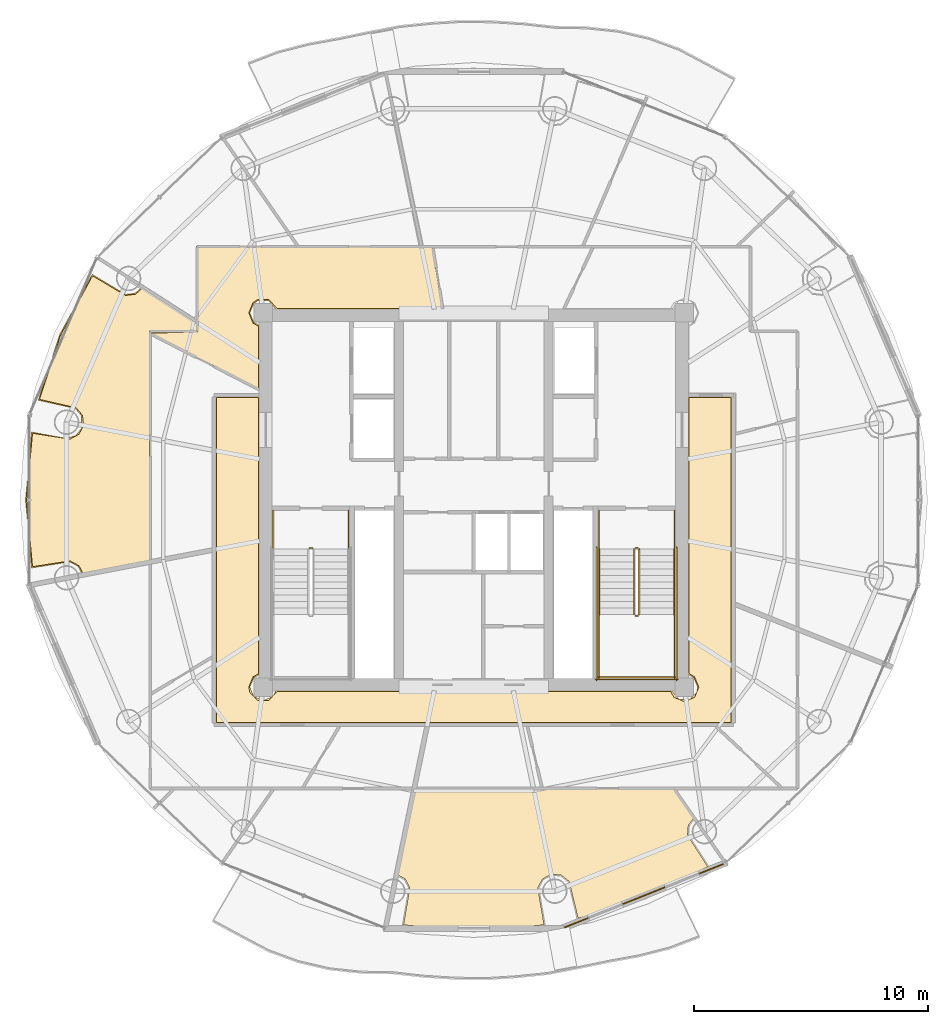
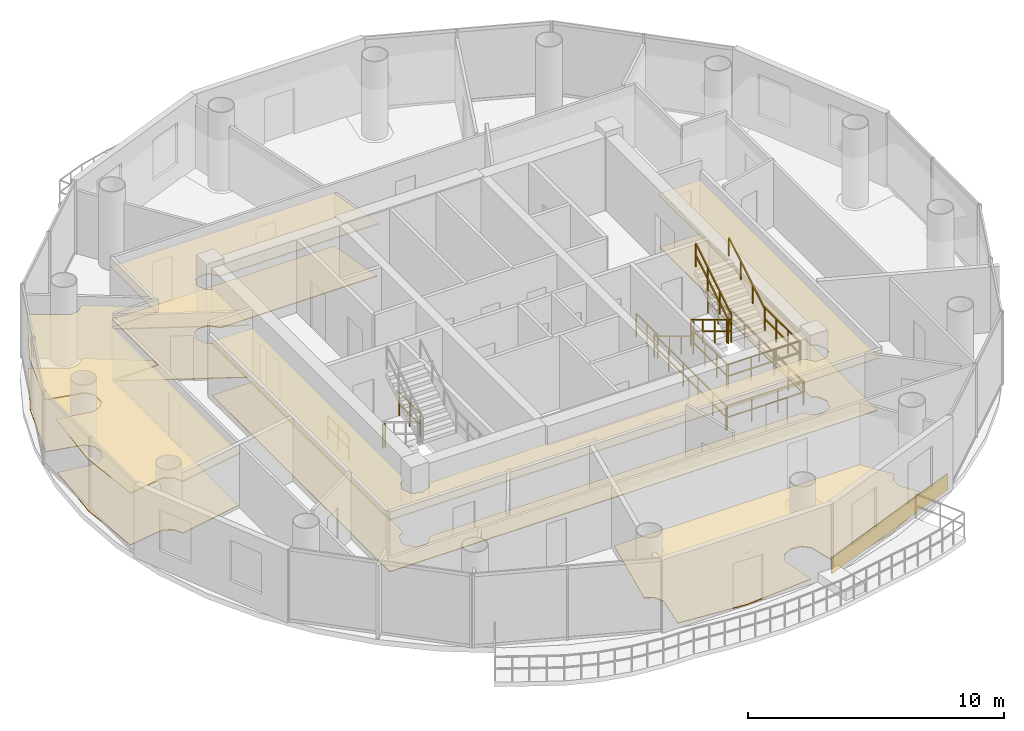
# One storey, part 22 of 23: 17 railings, 8 coverings.
"""IFC4 building model written with IfcOpenShell, lengths in metres."""

from ifc_helpers import new_model, si_unit, direction, frame, origin, origin_2d, place, context, subcontext, project, spatial, polyline, rectangle, outline, extrude, source, transform, mapped, material, layer, layer_set, type_object, element, save


model = new_model("IFC4")

# Units and contexts
model_context = context("Model", 3, precision=1e-05, world=origin(), true_north=direction((-0.2419218956, 0.970295726276)))
body_context = subcontext(model_context, "Body", "Model", "MODEL_VIEW")
ifc_project = project(units=[si_unit("LENGTHUNIT", "METRE"), si_unit("AREAUNIT", "SQUARE_METRE"), si_unit("VOLUMEUNIT", "CUBIC_METRE"), si_unit("PLANEANGLEUNIT", "RADIAN"), si_unit("MASSUNIT", "GRAM", prefix="KILO")], contexts=[model_context])

# Site, building, storey
site_placement = place(None, origin())
site = spatial("IfcSite", under=ifc_project, at=site_placement, CompositionType="ELEMENT")
building_placement = place(site_placement, origin())
building = spatial("IfcBuilding", under=site, at=building_placement, Name="Cobrevalo Terracotta Tower", CompositionType="ELEMENT")
storey_placement = place(building_placement, frame((0.0, 0.0, 251.949951171875)))
storey = spatial("IfcBuildingStorey", under=building, at=storey_placement, Name="L66", CompositionType="ELEMENT", Elevation=251.949951171875)

# Coverings
ifc_material_1 = material(Name="Engineered Brazilian hardwood flooring", Category="wood")
ifc_layer_1 = layer(ifc_material_1, 0.028076171875)
ifc_layer_set_1 = layer_set([ifc_layer_1], Name="Engineered Brazilian hardwood flooring")
covering_type_1 = type_object("IfcCoveringType", Name="Engineered Hardwood Suite Flooring 28", PredefinedType="FLOORING", material=ifc_layer_set_1)
covering_1_placement = place(storey_placement, origin())
element("IfcCovering", 1, at=covering_1_placement, inside=storey, type_object=covering_type_1, Name="Flat L66A Private Cinema Room floor finish", PredefinedType="FLOORING", context=body_context, shape_type="SweptSolid", body=[
    extrude(outline(polyline([(21.3154296875, 23.621337890625), (21.118408203125, 23.9931640625), (20.740966796875, 24.198486328125), (19.1357421875, 23.948974609375), (18.880126953125, 26.800048828125), (19.1357421875, 29.65087890625), (20.740966796875, 29.401611328125), (21.118408203125, 29.60693359375), (21.318115234375, 29.9873046875), (21.272705078125, 30.41455078125), (20.99755859375, 30.74462890625), (19.43505859375, 31.1005859375), (20.33544921875, 33.848876953125), (21.699951171875, 36.382568359375), (23.1103515625, 35.5439453125), (23.537109375, 35.593994140625), (23.864501953125, 35.88037109375), (26.155029296875, 34.4052734375), (26.155029296875, 34.030029296875), (24.14501953125, 34.030029296875), (24.14501953125, 24.163818359375), (21.3154296875, 23.621337890625)])), origin(), (0.0, 0.0, 1.0), 0.030029296875),
])
covering_2_placement = place(storey_placement, origin())
element("IfcCovering", 2, at=covering_2_placement, inside=storey, type_object=covering_type_1, Name="Flat L66A Private Library Meeting Room floor finish", PredefinedType="FLOORING", context=body_context, shape_type="SweptSolid", body=[
    extrude(outline(polyline([(28.804931640625, 31.551025390625), (24.18505859375, 33.927001953125), (26.195068359375, 33.989990234375), (26.195068359375, 37.60498046875), (36.222412109375, 37.60498046875), (36.64697265625, 34.9951171875), (29.58154296875, 34.9951171875), (29.2373046875, 35.373291015625), (28.7626953125, 35.373291015625), (28.561279296875, 35.23876953125), (28.379638671875, 34.800048828125), (28.561279296875, 34.361328125), (28.804931640625, 34.218505859375), (28.804931640625, 31.551025390625)])), origin(), (0.0, 0.0, 1.0), 0.030029296875),
])
covering_3_placement = place(storey_placement, origin())
element("IfcCovering", 3, at=covering_3_placement, inside=storey, type_object=covering_type_1, Name="Flat L66C Living and Dining Room floor finish", PredefinedType="FLOORING", context=body_context, shape_type="SweptSolid", body=[
    extrude(outline(polyline([(45.317138671875, 9.7822265625), (42.45947265625, 8.9140625), (42.074951171875, 10.49365234375), (41.74072265625, 10.763671875), (41.312744140625, 10.80224609375), (40.935546875, 10.596923828125), (40.73583984375, 10.21630859375), (41.005859375, 8.635498046875), (38.0, 8.380126953125), (34.994140625, 8.635498046875), (35.26416015625, 10.21630859375), (35.064453125, 10.596923828125), (34.71728515625, 10.79296875), (35.470947265625, 14.445068359375), (46.5400390625, 14.445068359375), (47.40283203125, 13.200439453125), (47.17236328125, 12.893798828125), (47.138427734375, 12.465576171875), (47.99853515625, 11.130126953125), (45.317138671875, 9.7822265625)])), origin(), (0.0, 0.0, 1.0), 0.030029296875),
])
ifc_material_2 = material(Name="Honed terracotta and granite tile", Category="masonry")
ifc_layer_2 = layer(ifc_material_2, 0.034912109375)
ifc_layer_set_2 = layer_set([ifc_layer_2], Name="Honed terracotta and granite tile")
covering_type_2 = type_object("IfcCoveringType", Name="Honed Terracotta & Granite Interior Flooring 35", PredefinedType="FLOORING", material=ifc_layer_set_2)
covering_4_placement = place(storey_placement, origin())
element("IfcCovering", 4, at=covering_4_placement, inside=storey, type_object=covering_type_2, Name="L66 Residential Floor Corridor floor finish", PredefinedType="FLOORING", context=body_context, shape_type="SweptSolid", body=[
    extrude(outline(polyline([(26.9951171875, 31.179931640625), (28.804931640625, 31.179931640625), (28.804931640625, 19.381591796875), (28.561279296875, 19.23876953125), (28.379638671875, 18.800048828125), (28.4267578125, 18.5625), (28.7626953125, 18.226806640625), (29.2373046875, 18.226806640625), (29.58154296875, 18.60498046875), (46.41845703125, 18.60498046875), (46.561279296875, 18.361328125), (47.0, 18.1796875), (47.438720703125, 18.361328125), (47.620361328125, 18.800048828125), (47.438720703125, 19.23876953125), (47.195068359375, 19.381591796875), (47.195068359375, 31.179931640625), (49.0048828125, 31.179931640625), (49.0048828125, 17.294921875), (26.9951171875, 17.294921875), (26.9951171875, 31.179931640625)])), origin(), (0.0, 0.0, 1.0), 0.030029296875),
])
ifc_material_3 = material(Name="Acoustic perforated gypsum ceiling", Category="gypsum")
ifc_layer_3 = layer(ifc_material_3, 0.050048828125)
ifc_layer_set_3 = layer_set([ifc_layer_3], Name="Acoustic perforated gypsum ceiling")
covering_type_3 = type_object("IfcCoveringType", Name="Perforated Acoustic Gypsum Ceiling 50", PredefinedType="CEILING", material=ifc_layer_set_3)
covering_5_placement = place(storey_placement, frame((0.0, 0.0, 2.5)))
element("IfcCovering", 5, at=covering_5_placement, inside=storey, type_object=covering_type_3, Name="L66 Residential Floor Corridor acoustic ceiling", PredefinedType="CEILING", context=body_context, shape_type="SweptSolid", body=[
    extrude(outline(polyline([(26.949951171875, 31.22509765625), (28.85009765625, 31.22509765625), (28.85009765625, 19.3447265625), (28.59375, 19.206298828125), (28.425537109375, 18.800048828125), (28.59375, 18.393798828125), (29.0, 18.2255859375), (29.40625, 18.393798828125), (29.544677734375, 18.64990234375), (46.455322265625, 18.64990234375), (46.780029296875, 18.269287109375), (47.219970703125, 18.269287109375), (47.53076171875, 18.580078125), (47.574462890625, 18.800048828125), (47.40625, 19.206298828125), (47.14990234375, 19.3447265625), (47.14990234375, 31.22509765625), (49.050048828125, 31.22509765625), (49.050048828125, 17.25), (26.949951171875, 17.25), (26.949951171875, 31.22509765625)])), origin(), (0.0, 0.0, 1.0), 0.050048828125),
])
covering_6_placement = place(storey_placement, frame((0.0, 0.0, 2.5)))
element("IfcCovering", 6, at=covering_6_placement, inside=storey, type_object=covering_type_3, Name="Flat L66A Private Cinema Room acoustic ceiling", PredefinedType="CEILING", context=body_context, shape_type="SweptSolid", body=[
    extrude(outline(polyline([(21.283935546875, 23.569580078125), (21.086181640625, 23.96142578125), (20.731689453125, 24.154296875), (19.100830078125, 23.896484375), (18.8349609375, 26.800048828125), (19.100830078125, 29.703369140625), (20.59619140625, 29.431396484375), (20.9814453125, 29.551513671875), (21.235107421875, 29.865234375), (21.23095703125, 30.39697265625), (20.97265625, 30.70703125), (19.3818359375, 31.06494140625), (20.2939453125, 33.86669921875), (21.687744140625, 36.44384765625), (23.118408203125, 35.588623046875), (23.51904296875, 35.635498046875), (23.853271484375, 35.941162109375), (26.199951171875, 34.4296875), (26.199951171875, 33.985107421875), (24.18994140625, 33.985107421875), (24.18994140625, 24.126708984375), (21.283935546875, 23.569580078125)])), origin(), (0.0, 0.0, 1.0), 0.050048828125),
])
covering_7_placement = place(storey_placement, frame((0.0, 0.0, 2.5)))
element("IfcCovering", 7, at=covering_7_placement, inside=storey, type_object=covering_type_3, Name="Flat L66A Private Library Meeting Room acoustic ceiling", PredefinedType="CEILING", context=body_context, shape_type="SweptSolid", body=[
    extrude(outline(polyline([(28.85009765625, 31.477294921875), (24.139892578125, 33.8994140625), (24.139892578125, 34.034912109375), (26.14990234375, 34.034912109375), (26.14990234375, 37.64990234375), (36.2607421875, 37.64990234375), (36.69970703125, 34.949951171875), (29.544677734375, 34.949951171875), (29.219970703125, 35.330810546875), (28.780029296875, 35.330810546875), (28.59375, 35.206298828125), (28.425537109375, 34.800048828125), (28.59375, 34.393798828125), (28.85009765625, 34.25537109375), (28.85009765625, 31.477294921875)])), origin(), (0.0, 0.0, 1.0), 0.050048828125),
])

# Railings
ifc_material_4 = material(Name="Brushed stainless steel", Category="steel")
railing_type_1 = type_object("IfcRailingType", Name="Stainless Steel Stair Handrail 900", PredefinedType="HANDRAIL", material=ifc_material_4)
railing_1_placement = place(storey_placement, frame((43.35498046875, 24.699951171875, 0.17041015625)))
element("IfcRailing", 8, at=railing_1_placement, inside=storey, type_object=railing_type_1, Name="L66 ST-2 stair handrail 1", PredefinedType="HANDRAIL", context=body_context, shape_type="SweptSolid", body=[
    extrude(rectangle(XDim=0.048095703125, YDim=0.048095703125, at=origin_2d()), frame((0.0, 0.0, 0.8759765625), z_axis=(0.0, -0.854169791009, 0.51999420009), x_axis=(1.0, 0.0, 0.0)), (0.0, 0.0, 1.0), 3.278076171875),
    extrude(rectangle(XDim=0.0419921875, YDim=0.0419921875, at=origin_2d()), origin(), (0.0, 0.0, 1.0), 0.851806640625),
    extrude(rectangle(XDim=0.0419921875, YDim=0.0419921875, at=origin_2d()), frame((0.0, -0.933349609375, 0.568115234375)), (0.0, 0.0, 1.0), 0.851806640625),
    extrude(rectangle(XDim=0.0419921875, YDim=0.0419921875, at=origin_2d()), frame((0.0, -1.86669921875, 1.136474609375)), (0.0, 0.0, 1.0), 0.851806640625),
    extrude(rectangle(XDim=0.0419921875, YDim=0.0419921875, at=origin_2d()), frame((0.0, -2.800048828125, 1.70458984375)), (0.0, 0.0, 1.0), 0.851806640625),
])
railing_2_placement = place(storey_placement, frame((46.574951171875, 21.89990234375, 2.04541015625)))
element("IfcRailing", 9, at=railing_2_placement, inside=storey, type_object=railing_type_1, Name="L66 ST-2 stair handrail 2", PredefinedType="HANDRAIL", context=body_context, shape_type="SweptSolid", body=[
    extrude(rectangle(XDim=0.048095703125, YDim=0.048095703125, at=origin_2d()), frame((0.0, 0.0, 0.8759765625), z_axis=(0.0, 0.854169791009, 0.51999420009), x_axis=(-1.0, 0.0, 0.0)), (0.0, 0.0, 1.0), 3.278076171875),
    extrude(rectangle(XDim=0.0419921875, YDim=0.0419921875, at=origin_2d()), origin(), (0.0, 0.0, 1.0), 0.851806640625),
    extrude(rectangle(XDim=0.0419921875, YDim=0.0419921875, at=origin_2d()), frame((0.0, 0.933349609375, 0.568115234375)), (0.0, 0.0, 1.0), 0.851806640625),
    extrude(rectangle(XDim=0.0419921875, YDim=0.0419921875, at=origin_2d()), frame((0.0, 1.86669921875, 1.136474609375)), (0.0, 0.0, 1.0), 0.851806640625),
    extrude(rectangle(XDim=0.0419921875, YDim=0.0419921875, at=origin_2d()), frame((0.0, 2.800048828125, 1.70458984375)), (0.0, 0.0, 1.0), 0.851806640625),
])
ifc_material_5 = material(Name="Painted galvanized steel", Category="steel")
railing_type_2 = type_object("IfcRailingType", Name="Stair Well Guard Balustrade 1150", PredefinedType="GUARDRAIL", material=ifc_material_5)
railing_3_placement = place(storey_placement, frame((30.97509765625, 24.75, 0.0)))
element("IfcRailing", 10, at=railing_3_placement, inside=storey, type_object=railing_type_2, Name="L66 ST-1 stair guard 7", PredefinedType="GUARDRAIL", context=body_context, shape_type="SweptSolid", body=[
    extrude(rectangle(XDim=0.048095703125, YDim=0.048095703125, at=origin_2d()), frame((0.0, 0.0, 1.1259765625), z_axis=(1.0, 0.0, 0.0), x_axis=(0.0, 1.0, 0.0)), (0.0, 0.0, 1.0), 0.119873046875),
    extrude(rectangle(XDim=0.048095703125, YDim=0.048095703125, at=origin_2d()), frame((0.0, 0.0, 0.574951171875), z_axis=(1.0, 0.0, 0.0), x_axis=(0.0, 1.0, 0.0)), (0.0, 0.0, 1.0), 0.119873046875),
    extrude(rectangle(XDim=0.0419921875, YDim=0.0419921875, at=origin_2d()), origin(), (0.0, 0.0, 1.0), 1.101806640625),
    extrude(rectangle(XDim=0.0419921875, YDim=0.0419921875, at=origin_2d()), frame((0.119873046875, 0.0, 0.0)), (0.0, 0.0, 1.0), 1.101806640625),
])
for number, where, name in (
    (11, (29.425048828125, 26.35009765625, 0.0), "L66 ST-1 stair guard 8"),
    (12, (32.64501953125, 26.35009765625, 0.0), "L66 ST-1 stair guard 9"),
):
    element("IfcRailing", number, at=place(storey_placement, frame(where)), inside=storey, type_object=railing_type_2, Name=name, PredefinedType="GUARDRAIL", context=body_context, shape_type="SweptSolid", body=[
        extrude(rectangle(XDim=0.048095703125, YDim=0.048095703125, at=origin_2d()), frame((0.0, 0.0, 1.1259765625), z_axis=(0.0, -1.0, 0.0), x_axis=(1.0, 0.0, 0.0)), (0.0, 0.0, 1.0), 1.650146484375),
        extrude(rectangle(XDim=0.048095703125, YDim=0.048095703125, at=origin_2d()), frame((0.0, 0.0, 0.574951171875), z_axis=(0.0, -1.0, 0.0), x_axis=(1.0, 0.0, 0.0)), (0.0, 0.0, 1.0), 1.650146484375),
        extrude(rectangle(XDim=0.0419921875, YDim=0.0419921875, at=origin_2d()), origin(), (0.0, 0.0, 1.0), 1.101806640625),
        extrude(rectangle(XDim=0.0419921875, YDim=0.0419921875, at=origin_2d()), frame((0.0, -0.8251953125, 0.0)), (0.0, 0.0, 1.0), 1.101806640625),
        extrude(rectangle(XDim=0.0419921875, YDim=0.0419921875, at=origin_2d()), frame((0.0, -1.650146484375, 0.0)), (0.0, 0.0, 1.0), 1.101806640625),
    ])
railing_4_placement = place(storey_placement, frame((44.85498046875, 24.699951171875, 0.17041015625)))
element("IfcRailing", 13, at=railing_4_placement, inside=storey, type_object=railing_type_2, Name="L66 ST-2 stair guard 1", PredefinedType="GUARDRAIL", context=body_context, shape_type="SweptSolid", body=[
    extrude(rectangle(XDim=0.048095703125, YDim=0.048095703125, at=origin_2d()), frame((0.0, 0.0, 1.1259765625), z_axis=(0.0, -0.854169791009, 0.51999420009), x_axis=(1.0, 0.0, 0.0)), (0.0, 0.0, 1.0), 3.278076171875),
    extrude(rectangle(XDim=0.048095703125, YDim=0.048095703125, at=origin_2d()), frame((0.0, 0.0, 0.574951171875), z_axis=(0.0, -0.854169791009, 0.51999420009), x_axis=(1.0, 0.0, 0.0)), (0.0, 0.0, 1.0), 3.278076171875),
    extrude(rectangle(XDim=0.0419921875, YDim=0.0419921875, at=origin_2d()), origin(), (0.0, 0.0, 1.0), 1.101806640625),
    extrude(rectangle(XDim=0.0419921875, YDim=0.0419921875, at=origin_2d()), frame((0.0, -0.933349609375, 0.568115234375)), (0.0, 0.0, 1.0), 1.101806640625),
    extrude(rectangle(XDim=0.0419921875, YDim=0.0419921875, at=origin_2d()), frame((0.0, -1.86669921875, 1.136474609375)), (0.0, 0.0, 1.0), 1.101806640625),
    extrude(rectangle(XDim=0.0419921875, YDim=0.0419921875, at=origin_2d()), frame((0.0, -2.800048828125, 1.70458984375)), (0.0, 0.0, 1.0), 1.101806640625),
])
railing_5_placement = place(storey_placement, frame((44.905029296875, 21.85009765625, 1.875)))
element("IfcRailing", 14, at=railing_5_placement, inside=storey, type_object=railing_type_2, Name="L66 ST-2 stair guard 2", PredefinedType="GUARDRAIL", context=body_context, shape_type="SweptSolid", body=[
    extrude(rectangle(XDim=0.048095703125, YDim=0.048095703125, at=origin_2d()), frame((0.0, 0.0, 1.1259765625), z_axis=(1.0, 0.0, 0.0), x_axis=(0.0, 1.0, 0.0)), (0.0, 0.0, 1.0), 0.119873046875),
    extrude(rectangle(XDim=0.048095703125, YDim=0.048095703125, at=origin_2d()), frame((0.0, 0.0, 0.574951171875), z_axis=(1.0, 0.0, 0.0), x_axis=(0.0, 1.0, 0.0)), (0.0, 0.0, 1.0), 0.119873046875),
    extrude(rectangle(XDim=0.0419921875, YDim=0.0419921875, at=origin_2d()), origin(), (0.0, 0.0, 1.0), 1.101806640625),
    extrude(rectangle(XDim=0.0419921875, YDim=0.0419921875, at=origin_2d()), frame((0.119873046875, 0.0, 0.0)), (0.0, 0.0, 1.0), 1.101806640625),
])
for number, where, name in (
    (15, (43.35498046875, 21.89990234375, 1.875), "L66 ST-2 stair guard 3"),
    (16, (46.574951171875, 21.89990234375, 1.875), "L66 ST-2 stair guard 4"),
):
    element("IfcRailing", number, at=place(storey_placement, frame(where)), inside=storey, type_object=railing_type_2, Name=name, PredefinedType="GUARDRAIL", context=body_context, shape_type="SweptSolid", body=[
        extrude(rectangle(XDim=0.048095703125, YDim=0.048095703125, at=origin_2d()), frame((0.0, 0.0, 1.1259765625), z_axis=(0.0, -1.0, 0.0), x_axis=(1.0, 0.0, 0.0)), (0.0, 0.0, 1.0), 2.724853515625),
        extrude(rectangle(XDim=0.048095703125, YDim=0.048095703125, at=origin_2d()), frame((0.0, 0.0, 0.574951171875), z_axis=(0.0, -1.0, 0.0), x_axis=(1.0, 0.0, 0.0)), (0.0, 0.0, 1.0), 2.724853515625),
        extrude(rectangle(XDim=0.0419921875, YDim=0.0419921875, at=origin_2d()), origin(), (0.0, 0.0, 1.0), 1.101806640625),
        extrude(rectangle(XDim=0.0419921875, YDim=0.0419921875, at=origin_2d()), frame((0.0, -0.908203125, 0.0)), (0.0, 0.0, 1.0), 1.101806640625),
        extrude(rectangle(XDim=0.0419921875, YDim=0.0419921875, at=origin_2d()), frame((0.0, -1.816650390625, 0.0)), (0.0, 0.0, 1.0), 1.101806640625),
        extrude(rectangle(XDim=0.0419921875, YDim=0.0419921875, at=origin_2d()), frame((0.0, -2.724853515625, 0.0)), (0.0, 0.0, 1.0), 1.101806640625),
    ])
railing_6_placement = place(storey_placement, frame((43.304931640625, 19.22509765625, 1.875)))
element("IfcRailing", 17, at=railing_6_placement, inside=storey, type_object=railing_type_2, Name="L66 ST-2 stair guard 5", PredefinedType="GUARDRAIL", context=body_context, shape_type="SweptSolid", body=[
    extrude(rectangle(XDim=0.048095703125, YDim=0.048095703125, at=origin_2d()), frame((0.0, 0.0, 1.1259765625), z_axis=(1.0, 0.0, 0.0), x_axis=(0.0, 1.0, 0.0)), (0.0, 0.0, 1.0), 3.320068359375),
    extrude(rectangle(XDim=0.048095703125, YDim=0.048095703125, at=origin_2d()), frame((0.0, 0.0, 0.574951171875), z_axis=(1.0, 0.0, 0.0), x_axis=(0.0, 1.0, 0.0)), (0.0, 0.0, 1.0), 3.320068359375),
    extrude(rectangle(XDim=0.0419921875, YDim=0.0419921875, at=origin_2d()), origin(), (0.0, 0.0, 1.0), 1.101806640625),
    extrude(rectangle(XDim=0.0419921875, YDim=0.0419921875, at=origin_2d()), frame((1.106689453125, 0.0, 0.0)), (0.0, 0.0, 1.0), 1.101806640625),
    extrude(rectangle(XDim=0.0419921875, YDim=0.0419921875, at=origin_2d()), frame((2.21337890625, 0.0, 0.0)), (0.0, 0.0, 1.0), 1.101806640625),
    extrude(rectangle(XDim=0.0419921875, YDim=0.0419921875, at=origin_2d()), frame((3.320068359375, 0.0, 0.0)), (0.0, 0.0, 1.0), 1.101806640625),
])
railing_7_placement = place(storey_placement, frame((45.074951171875, 21.89990234375, 2.04541015625)))
element("IfcRailing", 18, at=railing_7_placement, inside=storey, type_object=railing_type_2, Name="L66 ST-2 stair guard 6", PredefinedType="GUARDRAIL", context=body_context, shape_type="SweptSolid", body=[
    extrude(rectangle(XDim=0.048095703125, YDim=0.048095703125, at=origin_2d()), frame((0.0, 0.0, 1.1259765625), z_axis=(0.0, 0.854169791009, 0.51999420009), x_axis=(-1.0, 0.0, 0.0)), (0.0, 0.0, 1.0), 3.278076171875),
    extrude(rectangle(XDim=0.048095703125, YDim=0.048095703125, at=origin_2d()), frame((0.0, 0.0, 0.574951171875), z_axis=(0.0, 0.854169791009, 0.51999420009), x_axis=(-1.0, 0.0, 0.0)), (0.0, 0.0, 1.0), 3.278076171875),
    extrude(rectangle(XDim=0.0419921875, YDim=0.0419921875, at=origin_2d()), origin(), (0.0, 0.0, 1.0), 1.101806640625),
    extrude(rectangle(XDim=0.0419921875, YDim=0.0419921875, at=origin_2d()), frame((0.0, 0.933349609375, 0.568115234375)), (0.0, 0.0, 1.0), 1.101806640625),
    extrude(rectangle(XDim=0.0419921875, YDim=0.0419921875, at=origin_2d()), frame((0.0, 1.86669921875, 1.136474609375)), (0.0, 0.0, 1.0), 1.101806640625),
    extrude(rectangle(XDim=0.0419921875, YDim=0.0419921875, at=origin_2d()), frame((0.0, 2.800048828125, 1.70458984375)), (0.0, 0.0, 1.0), 1.101806640625),
])
railing_8_placement = place(storey_placement, frame((44.905029296875, 24.75, 0.0)))
element("IfcRailing", 19, at=railing_8_placement, inside=storey, type_object=railing_type_2, Name="L66 ST-2 stair guard 7", PredefinedType="GUARDRAIL", context=body_context, shape_type="SweptSolid", body=[
    extrude(rectangle(XDim=0.048095703125, YDim=0.048095703125, at=origin_2d()), frame((0.0, 0.0, 1.1259765625), z_axis=(1.0, 0.0, 0.0), x_axis=(0.0, 1.0, 0.0)), (0.0, 0.0, 1.0), 0.119873046875),
    extrude(rectangle(XDim=0.048095703125, YDim=0.048095703125, at=origin_2d()), frame((0.0, 0.0, 0.574951171875), z_axis=(1.0, 0.0, 0.0), x_axis=(0.0, 1.0, 0.0)), (0.0, 0.0, 1.0), 0.119873046875),
    extrude(rectangle(XDim=0.0419921875, YDim=0.0419921875, at=origin_2d()), origin(), (0.0, 0.0, 1.0), 1.101806640625),
    extrude(rectangle(XDim=0.0419921875, YDim=0.0419921875, at=origin_2d()), frame((0.119873046875, 0.0, 0.0)), (0.0, 0.0, 1.0), 1.101806640625),
])
for number, where, name in (
    (20, (43.35498046875, 26.35009765625, 0.0), "L66 ST-2 stair guard 8"),
    (21, (46.574951171875, 26.35009765625, 0.0), "L66 ST-2 stair guard 9"),
):
    element("IfcRailing", number, at=place(storey_placement, frame(where)), inside=storey, type_object=railing_type_2, Name=name, PredefinedType="GUARDRAIL", context=body_context, shape_type="SweptSolid", body=[
        extrude(rectangle(XDim=0.048095703125, YDim=0.048095703125, at=origin_2d()), frame((0.0, 0.0, 1.1259765625), z_axis=(0.0, -1.0, 0.0), x_axis=(1.0, 0.0, 0.0)), (0.0, 0.0, 1.0), 1.650146484375),
        extrude(rectangle(XDim=0.048095703125, YDim=0.048095703125, at=origin_2d()), frame((0.0, 0.0, 0.574951171875), z_axis=(0.0, -1.0, 0.0), x_axis=(1.0, 0.0, 0.0)), (0.0, 0.0, 1.0), 1.650146484375),
        extrude(rectangle(XDim=0.0419921875, YDim=0.0419921875, at=origin_2d()), origin(), (0.0, 0.0, 1.0), 1.101806640625),
        extrude(rectangle(XDim=0.0419921875, YDim=0.0419921875, at=origin_2d()), frame((0.0, -0.8251953125, 0.0)), (0.0, 0.0, 1.0), 1.101806640625),
        extrude(rectangle(XDim=0.0419921875, YDim=0.0419921875, at=origin_2d()), frame((0.0, -1.650146484375, 0.0)), (0.0, 0.0, 1.0), 1.101806640625),
    ])
for number, where, name in (
    (22, (43.2548828125, 24.800048828125, 0.0), "L66 ST-2 stair guard 10"),
    (23, (46.675048828125, 24.800048828125, 0.0), "L66 ST-2 stair guard 11"),
):
    element("IfcRailing", number, at=place(storey_placement, frame(where)), inside=storey, type_object=railing_type_2, Name=name, PredefinedType="GUARDRAIL", context=body_context, shape_type="SweptSolid", body=[
        extrude(rectangle(XDim=0.048095703125, YDim=0.048095703125, at=origin_2d()), frame((0.0, 0.0, 1.1259765625), z_axis=(0.0, -1.0, 0.0), x_axis=(1.0, 0.0, 0.0)), (0.0, 0.0, 1.0), 5.72509765625),
        extrude(rectangle(XDim=0.048095703125, YDim=0.048095703125, at=origin_2d()), frame((0.0, 0.0, 0.574951171875), z_axis=(0.0, -1.0, 0.0), x_axis=(1.0, 0.0, 0.0)), (0.0, 0.0, 1.0), 5.72509765625),
        extrude(rectangle(XDim=0.0419921875, YDim=0.0419921875, at=origin_2d()), origin(), (0.0, 0.0, 1.0), 1.101806640625),
        extrude(rectangle(XDim=0.0419921875, YDim=0.0419921875, at=origin_2d()), frame((0.0, -1.14501953125, 0.0)), (0.0, 0.0, 1.0), 1.101806640625),
        extrude(rectangle(XDim=0.0419921875, YDim=0.0419921875, at=origin_2d()), frame((0.0, -2.2900390625, 0.0)), (0.0, 0.0, 1.0), 1.101806640625),
        extrude(rectangle(XDim=0.0419921875, YDim=0.0419921875, at=origin_2d()), frame((0.0, -3.43505859375, 0.0)), (0.0, 0.0, 1.0), 1.101806640625),
        extrude(rectangle(XDim=0.0419921875, YDim=0.0419921875, at=origin_2d()), frame((0.0, -4.580078125, 0.0)), (0.0, 0.0, 1.0), 1.101806640625),
        extrude(rectangle(XDim=0.0419921875, YDim=0.0419921875, at=origin_2d()), frame((0.0, -5.72509765625, 0.0)), (0.0, 0.0, 1.0), 1.101806640625),
    ])
railing_9_placement = place(storey_placement, frame((43.205078125, 19.125, 0.0)))
element("IfcRailing", 24, at=railing_9_placement, inside=storey, type_object=railing_type_2, Name="L66 ST-2 stair guard 12", PredefinedType="GUARDRAIL", context=body_context, shape_type="SweptSolid", body=[
    extrude(rectangle(XDim=0.048095703125, YDim=0.048095703125, at=origin_2d()), frame((0.0, 0.0, 1.1259765625), z_axis=(1.0, 0.0, 0.0), x_axis=(0.0, 1.0, 0.0)), (0.0, 0.0, 1.0), 3.52001953125),
    extrude(rectangle(XDim=0.048095703125, YDim=0.048095703125, at=origin_2d()), frame((0.0, 0.0, 0.574951171875), z_axis=(1.0, 0.0, 0.0), x_axis=(0.0, 1.0, 0.0)), (0.0, 0.0, 1.0), 3.52001953125),
    extrude(rectangle(XDim=0.0419921875, YDim=0.0419921875, at=origin_2d()), origin(), (0.0, 0.0, 1.0), 1.101806640625),
    extrude(rectangle(XDim=0.0419921875, YDim=0.0419921875, at=origin_2d()), frame((1.17333984375, 0.0, 0.0)), (0.0, 0.0, 1.0), 1.101806640625),
    extrude(rectangle(XDim=0.0419921875, YDim=0.0419921875, at=origin_2d()), frame((2.3466796875, 0.0, 0.0)), (0.0, 0.0, 1.0), 1.101806640625),
    extrude(rectangle(XDim=0.0419921875, YDim=0.0419921875, at=origin_2d()), frame((3.52001953125, 0.0, 0.0)), (0.0, 0.0, 1.0), 1.101806640625),
])

# Covering
ifc_material_6 = material(Name="Glazed terracotta facade cladding tile", Category="masonry")
ifc_layer_4 = layer(ifc_material_6, 0.044921875)
ifc_layer_set_4 = layer_set([ifc_layer_4], Name="Glazed terracotta facade cladding tile")
covering_type_4 = type_object("IfcCoveringType", Name="Architectural terracotta rainscreen spandrel cladding 45 mm", PredefinedType="CLADDING", material=ifc_layer_set_4)
shared_shape = source(origin(), body_context, "Body", "SweptSolid", [
    extrude(rectangle(XDim=7.318359375, YDim=0.044921875, at=origin_2d()), origin(), (0.0, 0.0, 1.0), 0.760009765625),
])
covering_8_placement = place(storey_placement, frame((45.270263671875, 9.882568359375, 0.0400390625), z_axis=(0.0, 0.0, 1.0), x_axis=(0.92871833374, 0.370785998353, 0.0)))
element("IfcCovering", 25, at=covering_8_placement, inside=storey, type_object=covering_type_4, Name="L66 terracotta spandrel cladding S13", PredefinedType="CLADDING", context=body_context, shape_type="MappedRepresentation", body=[
    mapped(shared_shape, transform((0.0, 0.0, 0.0), scale=1.0)),
])

save(model, "model.ifc")
